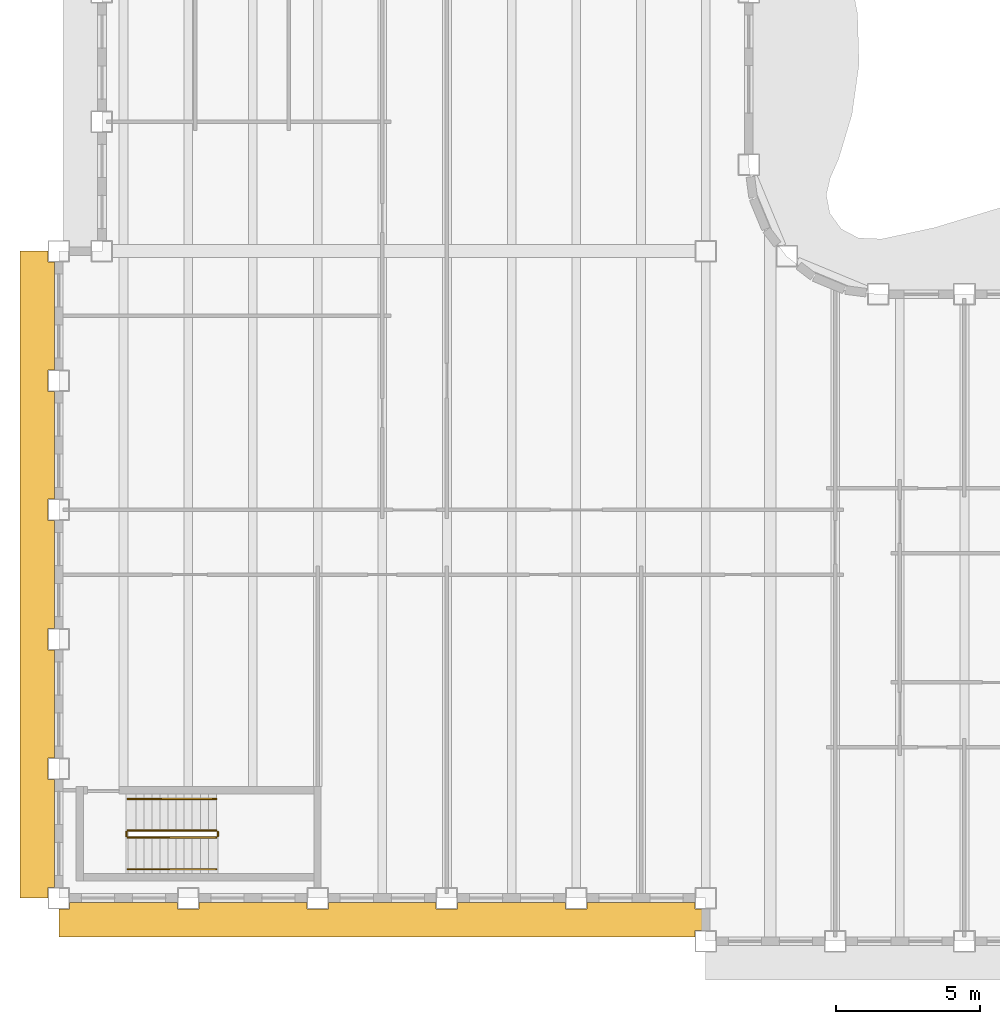
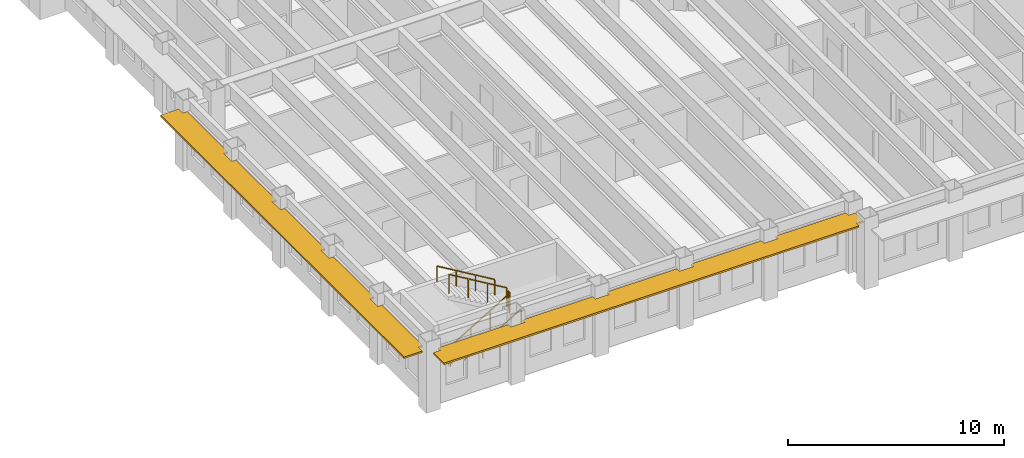
# One storey, part 11 of 16: 6 railings, 2 shading devices.
"""IFC4 building model written with IfcOpenShell, lengths in metres."""

from ifc_helpers import new_model, si_unit, direction, frame, origin, origin_2d, place, context, subcontext, project, spatial, polyline, rectangle, outline, extrude, material, layer, layer_set, type_object, element, save


model = new_model("IFC4")

# Units and contexts
model_context = context("Model", 3, precision=1e-05, world=origin(), true_north=direction((0.0, 1.0)))
body_context = subcontext(model_context, "Body", "Model", "MODEL_VIEW")
ifc_project = project(units=[si_unit("LENGTHUNIT", "METRE"), si_unit("AREAUNIT", "SQUARE_METRE"), si_unit("VOLUMEUNIT", "CUBIC_METRE"), si_unit("PLANEANGLEUNIT", "RADIAN"), si_unit("MASSUNIT", "GRAM", prefix="KILO")], contexts=[model_context])

# Site, building, storey
site_placement = place(None, origin())
site = spatial("IfcSite", under=ifc_project, at=site_placement, CompositionType="ELEMENT")
building_placement = place(site_placement, origin())
building = spatial("IfcBuilding", under=site, at=building_placement, Name="Sennacour Bend Tower", CompositionType="ELEMENT")
storey_placement = place(building_placement, frame((0.0, 0.0, 207.0)))
storey = spatial("IfcBuildingStorey", under=building, at=storey_placement, Name="L47", CompositionType="ELEMENT", Elevation=207.0)

# Railings
ifc_material_1 = material(Name="Stainless steel", Category="steel")
railing_type_1 = type_object("IfcRailingType", Name="RL-GUARD-1100", PredefinedType="GUARDRAIL", material=ifc_material_1)
railing_1_placement = place(storey_placement, frame((2.39990234375, 2.10009765625, 0.166748046875)))
element("IfcRailing", 1, at=railing_1_placement, inside=storey, type_object=railing_type_1, Name="L47 SK1 stair guard 1", PredefinedType="GUARDRAIL", context=body_context, shape_type="SweptSolid", body=[
    extrude(rectangle(XDim=0.048095703125, YDim=0.048095703125, at=origin_2d()), frame((0.0, 0.0, 1.076171875), z_axis=(0.859308565015, 0.0, 0.511457515432), x_axis=(0.0, 1.0, 0.0)), (0.0, 0.0, 1.0), 3.58447265625),
    extrude(rectangle(XDim=0.0419921875, YDim=0.0419921875, at=origin_2d()), origin(), (0.0, 0.0, 1.0), 1.052001953125),
    extrude(rectangle(XDim=0.0419921875, YDim=0.0419921875, at=origin_2d()), frame((1.026611328125, 0.0, 0.611083984375)), (0.0, 0.0, 1.0), 1.052001953125),
    extrude(rectangle(XDim=0.0419921875, YDim=0.0419921875, at=origin_2d()), frame((2.053466796875, 0.0, 1.22216796875)), (0.0, 0.0, 1.0), 1.052001953125),
    extrude(rectangle(XDim=0.0419921875, YDim=0.0419921875, at=origin_2d()), frame((3.080078125, 0.0, 1.833251953125)), (0.0, 0.0, 1.0), 1.052001953125),
])
railing_2_placement = place(storey_placement, frame((5.530029296875, 2.14990234375, 2.0)))
element("IfcRailing", 2, at=railing_2_placement, inside=storey, type_object=railing_type_1, Name="L47 SK1 stair guard 2", PredefinedType="GUARDRAIL", context=body_context, shape_type="SweptSolid", body=[
    extrude(rectangle(XDim=0.048095703125, YDim=0.048095703125, at=origin_2d()), frame((0.0, 0.0, 1.076171875), z_axis=(0.0, 1.0, 0.0), x_axis=(-1.0, 0.0, 0.0)), (0.0, 0.0, 1.0), 0.150146484375),
    extrude(rectangle(XDim=0.0419921875, YDim=0.0419921875, at=origin_2d()), origin(), (0.0, 0.0, 1.0), 1.052001953125),
    extrude(rectangle(XDim=0.0419921875, YDim=0.0419921875, at=origin_2d()), frame((0.0, 0.150146484375, 0.0)), (0.0, 0.0, 1.0), 1.052001953125),
])
railing_3_placement = place(storey_placement, frame((5.47998046875, 2.35009765625, 2.166748046875)))
element("IfcRailing", 3, at=railing_3_placement, inside=storey, type_object=railing_type_1, Name="L47 SK1 stair guard 3", PredefinedType="GUARDRAIL", context=body_context, shape_type="SweptSolid", body=[
    extrude(rectangle(XDim=0.048095703125, YDim=0.048095703125, at=origin_2d()), frame((0.0, 0.0, 1.076171875), z_axis=(-0.859308565015, 0.0, 0.511457515432), x_axis=(0.0, -1.0, 0.0)), (0.0, 0.0, 1.0), 3.58447265625),
    extrude(rectangle(XDim=0.0419921875, YDim=0.0419921875, at=origin_2d()), origin(), (0.0, 0.0, 1.0), 1.052001953125),
    extrude(rectangle(XDim=0.0419921875, YDim=0.0419921875, at=origin_2d()), frame((-1.026611328125, 0.0, 0.611083984375)), (0.0, 0.0, 1.0), 1.052001953125),
    extrude(rectangle(XDim=0.0419921875, YDim=0.0419921875, at=origin_2d()), frame((-2.053466796875, 0.0, 1.22216796875)), (0.0, 0.0, 1.0), 1.052001953125),
    extrude(rectangle(XDim=0.0419921875, YDim=0.0419921875, at=origin_2d()), frame((-3.080078125, 0.0, 1.833251953125)), (0.0, 0.0, 1.0), 1.052001953125),
])
railing_4_placement = place(storey_placement, frame((2.35009765625, 2.14990234375, 0.0)))
element("IfcRailing", 4, at=railing_4_placement, inside=storey, type_object=railing_type_1, Name="L47 SK1 stair guard 4", PredefinedType="GUARDRAIL", context=body_context, shape_type="SweptSolid", body=[
    extrude(rectangle(XDim=0.048095703125, YDim=0.048095703125, at=origin_2d()), frame((0.0, 0.0, 1.076171875), z_axis=(0.0, 1.0, 0.0), x_axis=(-1.0, 0.0, 0.0)), (0.0, 0.0, 1.0), 0.150146484375),
    extrude(rectangle(XDim=0.0419921875, YDim=0.0419921875, at=origin_2d()), origin(), (0.0, 0.0, 1.0), 1.052001953125),
    extrude(rectangle(XDim=0.0419921875, YDim=0.0419921875, at=origin_2d()), frame((0.0, 0.150146484375, 0.0)), (0.0, 0.0, 1.0), 1.052001953125),
])
railing_type_2 = type_object("IfcRailingType", Name="RL-HANDRAIL-900", PredefinedType="HANDRAIL", material=ifc_material_1)
railing_5_placement = place(storey_placement, frame((2.39990234375, 1.0, 0.166748046875)))
element("IfcRailing", 5, at=railing_5_placement, inside=storey, type_object=railing_type_2, Name="L47 SK1 stair handrail 1", PredefinedType="HANDRAIL", context=body_context, shape_type="SweptSolid", body=[
    extrude(rectangle(XDim=0.048095703125, YDim=0.048095703125, at=origin_2d()), frame((0.0, 0.0, 0.8759765625), z_axis=(0.859308565015, 0.0, 0.511457515432), x_axis=(0.0, 1.0, 0.0)), (0.0, 0.0, 1.0), 3.58447265625),
    extrude(rectangle(XDim=0.0419921875, YDim=0.0419921875, at=origin_2d()), origin(), (0.0, 0.0, 1.0), 0.851806640625),
    extrude(rectangle(XDim=0.0419921875, YDim=0.0419921875, at=origin_2d()), frame((1.026611328125, 0.0, 0.611083984375)), (0.0, 0.0, 1.0), 0.851806640625),
    extrude(rectangle(XDim=0.0419921875, YDim=0.0419921875, at=origin_2d()), frame((2.053466796875, 0.0, 1.22216796875)), (0.0, 0.0, 1.0), 0.851806640625),
    extrude(rectangle(XDim=0.0419921875, YDim=0.0419921875, at=origin_2d()), frame((3.080078125, 0.0, 1.833251953125)), (0.0, 0.0, 1.0), 0.851806640625),
])
railing_6_placement = place(storey_placement, frame((5.47998046875, 3.449951171875, 2.166748046875)))
element("IfcRailing", 6, at=railing_6_placement, inside=storey, type_object=railing_type_2, Name="L47 SK1 stair handrail 2", PredefinedType="HANDRAIL", context=body_context, shape_type="SweptSolid", body=[
    extrude(rectangle(XDim=0.048095703125, YDim=0.048095703125, at=origin_2d()), frame((0.0, 0.0, 0.8759765625), z_axis=(-0.859308565015, 0.0, 0.511457515432), x_axis=(0.0, -1.0, 0.0)), (0.0, 0.0, 1.0), 3.58447265625),
    extrude(rectangle(XDim=0.0419921875, YDim=0.0419921875, at=origin_2d()), origin(), (0.0, 0.0, 1.0), 0.851806640625),
    extrude(rectangle(XDim=0.0419921875, YDim=0.0419921875, at=origin_2d()), frame((-1.026611328125, 0.0, 0.611083984375)), (0.0, 0.0, 1.0), 0.851806640625),
    extrude(rectangle(XDim=0.0419921875, YDim=0.0419921875, at=origin_2d()), frame((-2.053466796875, 0.0, 1.22216796875)), (0.0, 0.0, 1.0), 0.851806640625),
    extrude(rectangle(XDim=0.0419921875, YDim=0.0419921875, at=origin_2d()), frame((-3.080078125, 0.0, 1.833251953125)), (0.0, 0.0, 1.0), 0.851806640625),
])

# Shading devices
ifc_material_2 = material(Name="Bronze anodised aluminium", Category="aluminium")
ifc_layer = layer(ifc_material_2, 0.10009765625, Name="Bronze anodised aluminium", Category="aluminium")
ifc_layer_set = layer_set([ifc_layer], Name="Bronze anodised aluminium")
shading_device_type = type_object("IfcShadingDeviceType", Name="SUNSHADE BAND STRAIGHT", PredefinedType="USERDEFINED", material=ifc_layer_set)
shading_device_1_placement = place(storey_placement, frame((0.0, 0.0, 3.056884765625)))
element("IfcShadingDevice", 7, at=shading_device_1_placement, inside=storey, type_object=shading_device_type, Name="Sunshade band L47 K outer face", ObjectType="SUNSHADE", PredefinedType="USERDEFINED", context=body_context, shape_type="SweptSolid", body=[
    extrude(outline(polyline([(-0.14990234375, 18.375), (-0.375, 18.375), (-0.375, 17.625), (-0.14990234375, 17.625), (-0.14990234375, 13.875), (-0.375, 13.875), (-0.375, 13.125), (-0.14990234375, 13.125), (-0.14990234375, 9.375), (-0.375, 9.375), (-0.375, 8.625), (-0.14990234375, 8.625), (-0.14990234375, 4.875), (-0.375, 4.875), (-0.375, 4.125), (-0.14990234375, 4.125), (-0.14990234375, 0.375), (-0.375, 0.375), (-0.375, 0.0), (-1.35009765625, 0.0), (-1.35009765625, 22.5), (-0.375, 22.5), (-0.375, 22.125), (-0.14990234375, 22.125), (-0.14990234375, 18.375)])), origin(), (0.0, 0.0, 1.0), 0.10009765625),
])
shading_device_2_placement = place(storey_placement, frame((0.0, 0.0, 3.056884765625)))
element("IfcShadingDevice", 8, at=shading_device_2_placement, inside=storey, type_object=shading_device_type, Name="Sunshade band L47 K outer face", ObjectType="SUNSHADE", PredefinedType="USERDEFINED", context=body_context, shape_type="SweptSolid", body=[
    extrude(outline(polyline([(4.125, -0.14990234375), (4.125, -0.375), (4.875, -0.375), (4.875, -0.14990234375), (8.625, -0.14990234375), (8.625, -0.375), (9.375, -0.375), (9.375, -0.14990234375), (13.125, -0.14990234375), (13.125, -0.375), (13.875, -0.375), (13.875, -0.14990234375), (17.625, -0.14990234375), (17.625, -0.375), (18.375, -0.375), (18.375, -0.14990234375), (22.125, -0.14990234375), (22.125, -0.375), (22.5, -0.375), (22.5, -1.125), (22.125, -1.125), (22.125, -1.35009765625), (0.0, -1.35009765625), (0.0, -0.375), (0.375, -0.375), (0.375, -0.14990234375), (4.125, -0.14990234375)])), origin(), (0.0, 0.0, 1.0), 0.10009765625),
])

save(model, "model.ifc")
